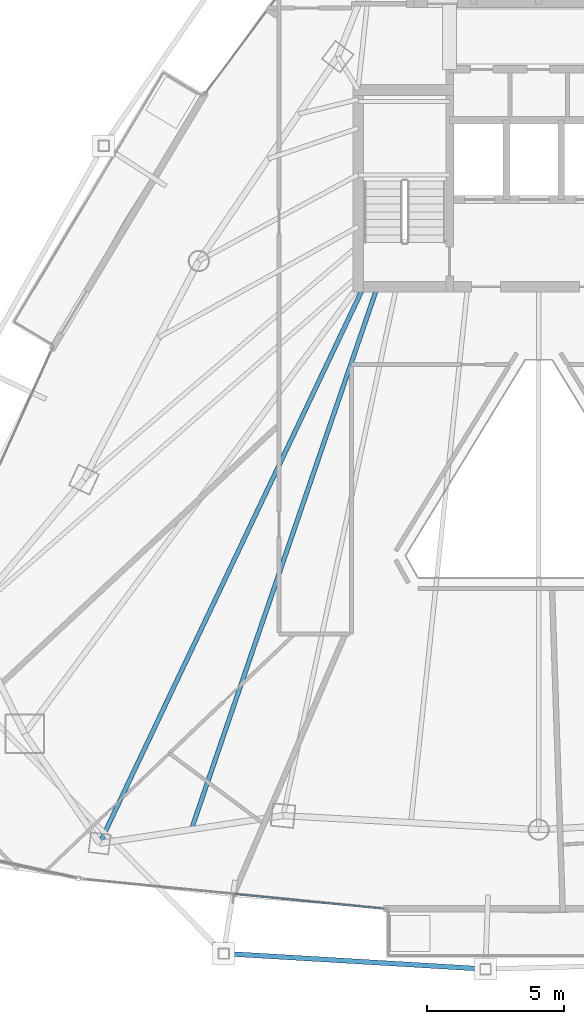
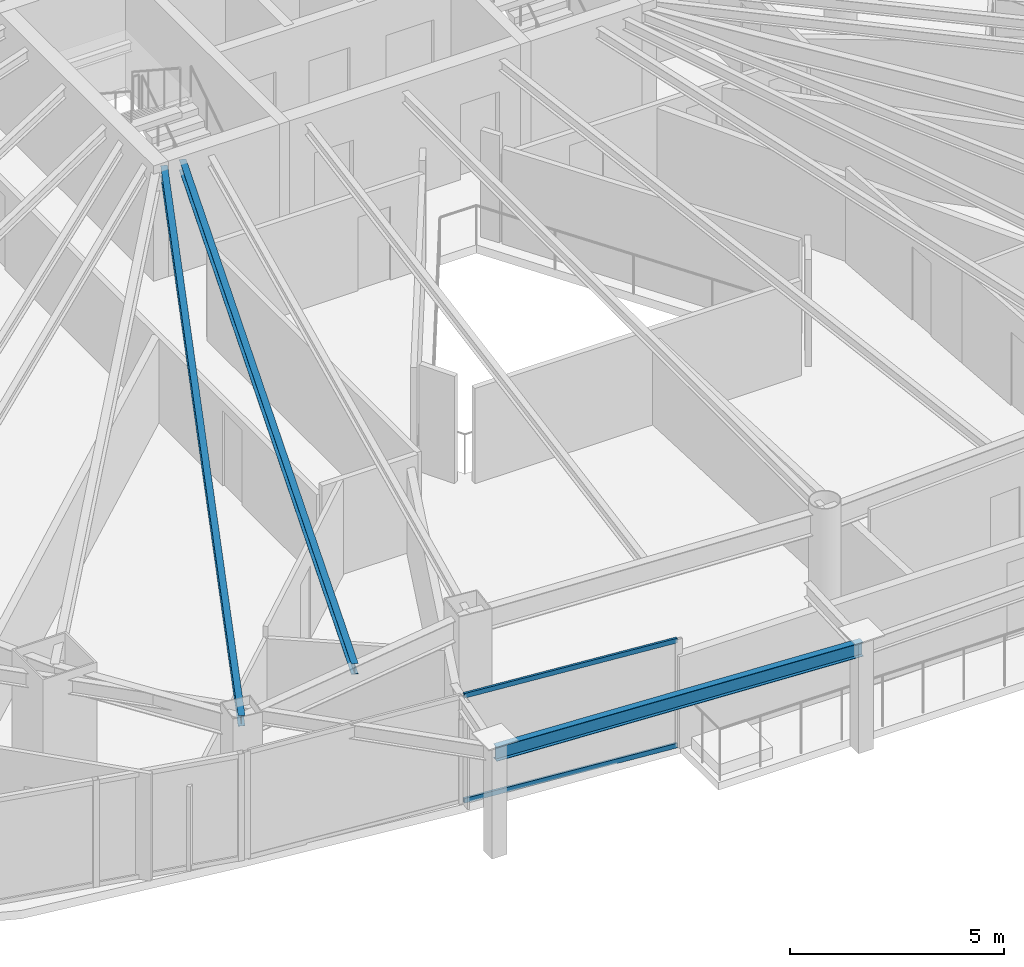
# One storey, part 6 of 29: 3 beams, 2 members, 1 element without a shape of its own.
"""IFC4 building model written with IfcOpenShell, lengths in metres."""

from ifc_helpers import new_model, si_unit, direction, frame, origin, origin_2d, place, context, subcontext, project, spatial, hollow_rectangle, i_section, extrude, material, layer, layer_set, material_profile, profile_set, type_object, element, aggregate, save


model = new_model("IFC4")

# Units and contexts
model_context = context("Model", 3, precision=1e-05, world=origin(), true_north=direction((0.0, 1.0)))
body_context = subcontext(model_context, "Body", "Model", "MODEL_VIEW")
ifc_project = project(units=[si_unit("LENGTHUNIT", "METRE"), si_unit("AREAUNIT", "SQUARE_METRE"), si_unit("VOLUMEUNIT", "CUBIC_METRE"), si_unit("PLANEANGLEUNIT", "RADIAN"), si_unit("MASSUNIT", "GRAM", prefix="KILO")], contexts=[model_context])

# Site, building, storey
site_placement = place(None, origin())
site = spatial("IfcSite", under=ifc_project, at=site_placement, CompositionType="ELEMENT")
building_placement = place(site_placement, origin())
building = spatial("IfcBuilding", under=site, at=building_placement, Name="Orvanel Arch Residences", CompositionType="ELEMENT")
storey_placement = place(building_placement, frame((0.0, 0.0, 177.050048828125)))
storey = spatial("IfcBuildingStorey", under=building, at=storey_placement, Name="L50", CompositionType="ELEMENT", Elevation=177.050048828125)

# Beams
ifc_material_1 = material(Name="Structural steel AS/NZS 3679.1 Grade 300 (300 MPa)", Category="steel")
ifc_material_profile_1 = material_profile(ifc_material_1, i_section(OverallWidth=0.1650390625, OverallDepth=0.303955078125, WebThickness=0.006103515625, FlangeThickness=0.01025390625, at=origin_2d()), Name="310UB40.4")
ifc_profile_set_1 = profile_set([ifc_material_profile_1], Name="Structural steel AS/NZS 3679.1 Grade 300 (300 MPa)")
beam_type_1 = type_object("IfcBeamType", Name="BJ-310UB", PredefinedType="JOIST", material=ifc_profile_set_1)
beam_1_placement = place(storey_placement, frame((26.60009765625, 26.699951171875, 2.907958984375), z_axis=(-0.428614365266, -0.903487534993, 0.0), x_axis=(0.903487534993, -0.428614365266, 0.0)))
element("IfcBeam", 1, at=beam_1_placement, inside=storey, type_object=beam_type_1, Name="L50 MSW Wing Floor Joist", PredefinedType="JOIST", context=body_context, shape_type="SweptSolid", body=[
    extrude(i_section(OverallWidth=0.1650390625, OverallDepth=0.303955078125, WebThickness=0.006103515625, FlangeThickness=0.01025390625, at=origin_2d()), origin(), (0.0, 0.0, 1.0), 22.535888671875),
])
beam_2_placement = place(storey_placement, frame((27.10009765625, 26.699951171875, 2.907958984375), z_axis=(-0.324257108963, -0.945968988544, 0.0), x_axis=(0.945968988544, -0.324257108963, 0.0)))
element("IfcBeam", 2, at=beam_2_placement, inside=storey, type_object=beam_type_1, Name="L50 JADD1 Wing Floor Joist", PredefinedType="JOIST", context=body_context, shape_type="SweptSolid", body=[
    extrude(i_section(OverallWidth=0.1650390625, OverallDepth=0.303955078125, WebThickness=0.006103515625, FlangeThickness=0.01025390625, at=origin_2d()), origin(), (0.0, 0.0, 1.0), 20.987060546875),
])
ifc_material_profile_2 = material_profile(ifc_material_1, i_section(OverallWidth=0.177978515625, OverallDepth=0.406005859375, WebThickness=0.0078125, FlangeThickness=0.0126953125, at=origin_2d()), Name="410UB59.7")
ifc_profile_set_2 = profile_set([ifc_material_profile_2], Name="Structural steel AS/NZS 3679.1 Grade 300 (300 MPa)")
beam_type_2 = type_object("IfcBeamType", Name="OB-410UB-EXT", PredefinedType="SPANDREL", material=ifc_profile_set_2)
beam_3_placement = place(storey_placement, frame((21.472900390625, 2.31201171875, 2.85693359375), z_axis=(0.998246276367, -0.059197734075, 0.0), x_axis=(0.059197734075, 0.998246276367, 0.0)))
element("IfcBeam", 3, at=beam_3_placement, inside=storey, type_object=beam_type_2, Name="L50 Outer Perimeter Floor Ring Beam 05", PredefinedType="SPANDREL", context=body_context, shape_type="SweptSolid", body=[
    extrude(i_section(OverallWidth=0.177978515625, OverallDepth=0.406005859375, WebThickness=0.0078125, FlangeThickness=0.0126953125, at=origin_2d()), origin(), (0.0, 0.0, 1.0), 9.596923828125),
])

# Curtain wall, members
ifc_material_2 = material(Name="Bronze-anodised aluminium AA6063-T6", Category="aluminium")
ifc_layer = layer(ifc_material_2, 0.179931640625)
ifc_layer_set = layer_set([ifc_layer], Name="Bronze-anodised aluminium AA6063-T6")
curtain_wall_type = type_object("IfcCurtainWallType", Name="CW3-MID-SYS", PredefinedType="NOTDEFINED", material=ifc_layer_set)
curtain_wall_placement = place(storey_placement, origin())
curtain_wall = element("IfcCurtainWall", 4, at=curtain_wall_placement, inside=storey, type_object=curtain_wall_type, Name="L50 CW3-MID-SYS Unitised Curtain Wall", PredefinedType="NOTDEFINED")
ifc_material_profile_3 = material_profile(ifc_material_2, hollow_rectangle(XDim=0.06005859375, YDim=0.135009765625, WallThickness=0.00390625, at=origin_2d()), Name="ALU135x60x4")
ifc_profile_set_3 = profile_set([ifc_material_profile_3], Name="Bronze-anodised aluminium AA6063-T6")
member_type = type_object("IfcMemberType", Name="TRN-135x60", PredefinedType="USERDEFINED", material=ifc_profile_set_3)
member_1_placement = place(storey_placement, frame((21.87841796875, 4.488037109375, 0.030029296875), z_axis=(0.995237597391, -0.097478842522, 0.0), x_axis=(0.097478842522, 0.995237597391, 0.0)))
member_1 = element("IfcMember", 5, at=member_1_placement, type_object=member_type, Name="CW-S3 transom 2.1", ObjectType="TRANSOM", PredefinedType="USERDEFINED", context=body_context, shape_type="SweptSolid", body=[
    extrude(hollow_rectangle(XDim=0.06005859375, YDim=0.135009765625, WallThickness=0.00390625, at=origin_2d()), origin(), (0.0, 0.0, 1.0), 5.47998046875),
])
member_2_placement = place(storey_placement, frame((21.87841796875, 4.488037109375, 3.030029296875), z_axis=(0.995237597391, -0.097478842522, 0.0), x_axis=(0.097478842522, 0.995237597391, 0.0)))
member_2 = element("IfcMember", 6, at=member_2_placement, type_object=member_type, Name="CW-S3 transom 2.2", ObjectType="TRANSOM", PredefinedType="USERDEFINED", context=body_context, shape_type="SweptSolid", body=[
    extrude(hollow_rectangle(XDim=0.06005859375, YDim=0.135009765625, WallThickness=0.00390625, at=origin_2d()), origin(), (0.0, 0.0, 1.0), 5.47998046875),
])
aggregate(curtain_wall, [member_1, member_2])

save(model, "model.ifc")
